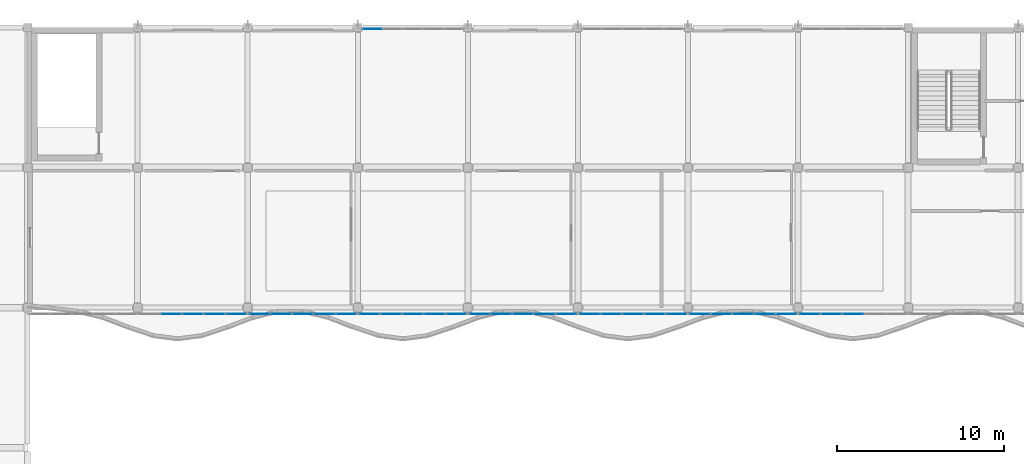
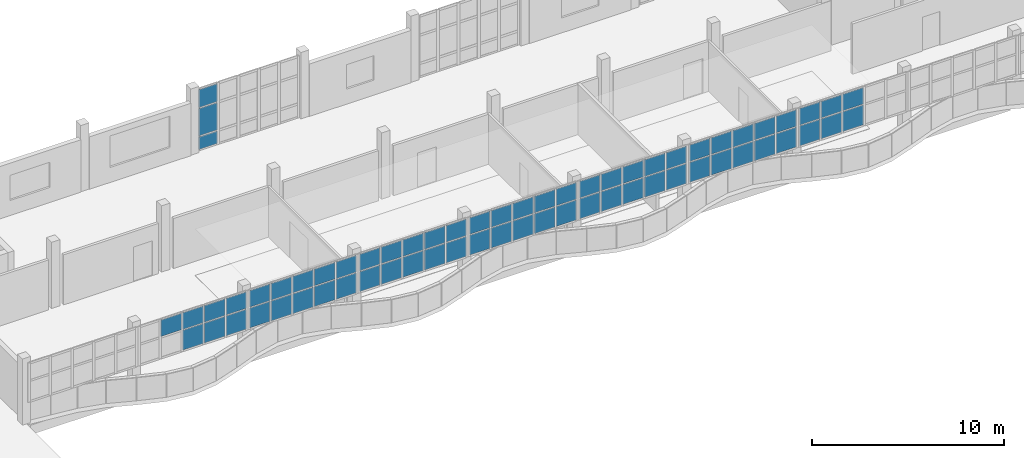
# One storey, part 46 of 78: 66 plates, 8 elements without a shape of their own.
"""IFC4 building model written with IfcOpenShell, lengths in metres."""

from ifc_helpers import new_model, si_unit, direction, frame, origin, origin_2d, place, context, subcontext, project, spatial, rectangle, extrude, material, layer, layer_set, type_object, element, aggregate, save


model = new_model("IFC4")

# Units and contexts
model_context = context("Model", 3, precision=1e-05, world=origin(), true_north=direction((0.0, 1.0)))
body_context = subcontext(model_context, "Body", "Model", "MODEL_VIEW")
ifc_project = project(units=[si_unit("LENGTHUNIT", "METRE"), si_unit("AREAUNIT", "SQUARE_METRE"), si_unit("VOLUMEUNIT", "CUBIC_METRE"), si_unit("PLANEANGLEUNIT", "RADIAN"), si_unit("MASSUNIT", "GRAM", prefix="KILO")], contexts=[model_context])

# Site, building, storey
site_placement = place(None, origin())
site = spatial("IfcSite", under=ifc_project, at=site_placement, CompositionType="ELEMENT")
building_placement = place(site_placement, origin())
building = spatial("IfcBuilding", under=site, at=building_placement, Name="Qaldarim Faculty of Natural and Applied Sciences", CompositionType="ELEMENT")
storey_placement = place(building_placement, frame((0.0, 0.0, 18.60009765625)))
storey = spatial("IfcBuildingStorey", under=building, at=storey_placement, Name="L04", CompositionType="ELEMENT", Elevation=18.60009765625)

# Curtain wall, plates
ifc_material_1 = material(Name="Anodised aluminium AW-6063", Category="aluminium")
curtain_wall_type_1 = type_object("IfcCurtainWallType", Name="CurtainWallSystem-M1200", PredefinedType="USERDEFINED", material=ifc_material_1)
curtain_wall_1_placement = place(storey_placement, origin())
curtain_wall_1 = element("IfcCurtainWall", 1, at=curtain_wall_1_placement, inside=storey, type_object=curtain_wall_type_1, Name="Curtain wall CW-L04-N-X11Y14", ObjectType="STICK CURTAIN WALL", PredefinedType="USERDEFINED")
ifc_material_2 = material(Name="Insulated low-e double glazing", Category="glass")
ifc_layer_1 = layer(ifc_material_2, 0.031982421875)
ifc_layer_set_1 = layer_set([ifc_layer_1], Name="Insulated low-e double glazing")
plate_type_1 = type_object("IfcPlateType", Name="SolarControlGlazingPanel-32", PredefinedType="CURTAIN_PANEL", material=ifc_layer_set_1)
plate_1_placement = place(storey_placement, frame((66.87353515625, 117.52001953125, 0.06982421875), z_axis=(0.0, 0.0, 1.0), x_axis=(-1.0, 0.0, 0.0)))
plate_1 = element("IfcPlate", 2, at=plate_1_placement, type_object=plate_type_1, Name="Glazed panel 5-1 of CW-L04-N-X11Y14", PredefinedType="CURTAIN_PANEL", context=body_context, shape_type="SweptSolid", body=[
    extrude(rectangle(XDim=1.116943359375, YDim=0.031982421875, at=origin_2d()), origin(), (0.0, 0.0, 1.0), 0.794921875),
])
plate_2_placement = place(storey_placement, frame((66.87353515625, 117.52001953125, 0.934814453125), z_axis=(0.0, 0.0, 1.0), x_axis=(-1.0, 0.0, 0.0)))
plate_2 = element("IfcPlate", 3, at=plate_2_placement, type_object=plate_type_1, Name="Glazed panel 5-2 of CW-L04-N-X11Y14", PredefinedType="CURTAIN_PANEL", context=body_context, shape_type="SweptSolid", body=[
    extrude(rectangle(XDim=1.116943359375, YDim=0.031982421875, at=origin_2d()), origin(), (0.0, 0.0, 1.0), 1.72998046875),
])
plate_3_placement = place(storey_placement, frame((66.87353515625, 117.52001953125, 2.73486328125), z_axis=(0.0, 0.0, 1.0), x_axis=(-1.0, 0.0, 0.0)))
plate_3 = element("IfcPlate", 4, at=plate_3_placement, type_object=plate_type_1, Name="Glazed panel 5-3 of CW-L04-N-X11Y14", PredefinedType="CURTAIN_PANEL", context=body_context, shape_type="SweptSolid", body=[
    extrude(rectangle(XDim=1.116943359375, YDim=0.031982421875, at=origin_2d()), origin(), (0.0, 0.0, 1.0), 1.135009765625),
])
aggregate(curtain_wall_1, [plate_1, plate_2, plate_3])

curtain_wall_type_2 = type_object("IfcCurtainWallType", Name="CurtainWallSystem-M1400", PredefinedType="USERDEFINED", material=ifc_material_1)
curtain_wall_2_placement = place(storey_placement, origin())
curtain_wall_2 = element("IfcCurtainWall", 5, at=curtain_wall_2_placement, inside=storey, type_object=curtain_wall_type_2, Name="Curtain wall CW-V4RIB-L04-X09", ObjectType="STICK CURTAIN WALL", PredefinedType="USERDEFINED")
ifc_layer_2 = layer(ifc_material_2, 0.028076171875)
ifc_layer_set_2 = layer_set([ifc_layer_2], Name="Insulated low-e double glazing")
plate_type_2 = type_object("IfcPlateType", Name="VisionGlazingPanel-28", PredefinedType="CURTAIN_PANEL", material=ifc_layer_set_2)
plate_4_placement = place(storey_placement, frame((54.7958984375, 100.419921875, 2.830078125), z_axis=(0.0, 0.0, 1.0), x_axis=(1.0, 0.0, 0.0)))
plate_4 = element("IfcPlate", 6, at=plate_4_placement, type_object=plate_type_2, Name="Glazed panel 2-2 of CW-V4RIB-L04-X09", PredefinedType="CURTAIN_PANEL", context=body_context, shape_type="SweptSolid", body=[
    extrude(rectangle(XDim=1.243896484375, YDim=0.028076171875, at=origin_2d()), origin(), (0.0, 0.0, 1.0), 1.050048828125),
])
plate_5_placement = place(storey_placement, frame((56.10009765625, 100.419921875, 1.509765625), z_axis=(0.0, 0.0, 1.0), x_axis=(1.0, 0.0, 0.0)))
plate_5 = element("IfcPlate", 7, at=plate_5_placement, type_object=plate_type_2, Name="Glazed panel 3-1 of CW-V4RIB-L04-X09", PredefinedType="CURTAIN_PANEL", context=body_context, shape_type="SweptSolid", body=[
    extrude(rectangle(XDim=1.243896484375, YDim=0.028076171875, at=origin_2d()), origin(), (0.0, 0.0, 1.0), 1.260009765625),
])
plate_6_placement = place(storey_placement, frame((56.10009765625, 100.419921875, 2.830078125), z_axis=(0.0, 0.0, 1.0), x_axis=(1.0, 0.0, 0.0)))
plate_6 = element("IfcPlate", 8, at=plate_6_placement, type_object=plate_type_2, Name="Glazed panel 3-2 of CW-V4RIB-L04-X09", PredefinedType="CURTAIN_PANEL", context=body_context, shape_type="SweptSolid", body=[
    extrude(rectangle(XDim=1.243896484375, YDim=0.028076171875, at=origin_2d()), origin(), (0.0, 0.0, 1.0), 1.050048828125),
])
plate_7_placement = place(storey_placement, frame((57.404052734375, 100.419921875, 1.509765625), z_axis=(0.0, 0.0, 1.0), x_axis=(1.0, 0.0, 0.0)))
plate_7 = element("IfcPlate", 9, at=plate_7_placement, type_object=plate_type_2, Name="Glazed panel 4-1 of CW-V4RIB-L04-X09", PredefinedType="CURTAIN_PANEL", context=body_context, shape_type="SweptSolid", body=[
    extrude(rectangle(XDim=1.243896484375, YDim=0.028076171875, at=origin_2d()), origin(), (0.0, 0.0, 1.0), 1.260009765625),
])
plate_8_placement = place(storey_placement, frame((57.404052734375, 100.419921875, 2.830078125), z_axis=(0.0, 0.0, 1.0), x_axis=(1.0, 0.0, 0.0)))
plate_8 = element("IfcPlate", 10, at=plate_8_placement, type_object=plate_type_2, Name="Glazed panel 4-2 of CW-V4RIB-L04-X09", PredefinedType="CURTAIN_PANEL", context=body_context, shape_type="SweptSolid", body=[
    extrude(rectangle(XDim=1.243896484375, YDim=0.028076171875, at=origin_2d()), origin(), (0.0, 0.0, 1.0), 1.050048828125),
])
plate_9_placement = place(storey_placement, frame((58.693115234375, 100.419921875, 1.509765625), z_axis=(0.0, 0.0, 1.0), x_axis=(1.0, 0.0, 0.0)))
plate_9 = element("IfcPlate", 11, at=plate_9_placement, type_object=plate_type_2, Name="Glazed panel 5-1 of CW-V4RIB-L04-X09", PredefinedType="CURTAIN_PANEL", context=body_context, shape_type="SweptSolid", body=[
    extrude(rectangle(XDim=1.214111328125, YDim=0.028076171875, at=origin_2d()), origin(), (0.0, 0.0, 1.0), 1.260009765625),
])
plate_10_placement = place(storey_placement, frame((58.693115234375, 100.419921875, 2.830078125), z_axis=(0.0, 0.0, 1.0), x_axis=(1.0, 0.0, 0.0)))
plate_10 = element("IfcPlate", 12, at=plate_10_placement, type_object=plate_type_2, Name="Glazed panel 5-2 of CW-V4RIB-L04-X09", PredefinedType="CURTAIN_PANEL", context=body_context, shape_type="SweptSolid", body=[
    extrude(rectangle(XDim=1.214111328125, YDim=0.028076171875, at=origin_2d()), origin(), (0.0, 0.0, 1.0), 1.050048828125),
])
aggregate(curtain_wall_2, [plate_4, plate_5, plate_6, plate_7, plate_8, plate_9, plate_10])

curtain_wall_3_placement = place(storey_placement, origin())
curtain_wall_3 = element("IfcCurtainWall", 13, at=curtain_wall_3_placement, inside=storey, type_object=curtain_wall_type_2, Name="Curtain wall CW-V4RIB-L04-X10", ObjectType="STICK CURTAIN WALL", PredefinedType="USERDEFINED")
plate_11_placement = place(storey_placement, frame((60.10693359375, 100.419921875, 1.509765625), z_axis=(0.0, 0.0, 1.0), x_axis=(1.0, 0.0, 0.0)))
plate_11 = element("IfcPlate", 14, at=plate_11_placement, type_object=plate_type_2, Name="Glazed panel 1-1 of CW-V4RIB-L04-X10", PredefinedType="CURTAIN_PANEL", context=body_context, shape_type="SweptSolid", body=[
    extrude(rectangle(XDim=1.214111328125, YDim=0.028076171875, at=origin_2d()), origin(), (0.0, 0.0, 1.0), 1.260009765625),
])
plate_12_placement = place(storey_placement, frame((60.10693359375, 100.419921875, 2.830078125), z_axis=(0.0, 0.0, 1.0), x_axis=(1.0, 0.0, 0.0)))
plate_12 = element("IfcPlate", 15, at=plate_12_placement, type_object=plate_type_2, Name="Glazed panel 1-2 of CW-V4RIB-L04-X10", PredefinedType="CURTAIN_PANEL", context=body_context, shape_type="SweptSolid", body=[
    extrude(rectangle(XDim=1.214111328125, YDim=0.028076171875, at=origin_2d()), origin(), (0.0, 0.0, 1.0), 1.050048828125),
])
plate_13_placement = place(storey_placement, frame((61.39599609375, 100.419921875, 1.509765625), z_axis=(0.0, 0.0, 1.0), x_axis=(1.0, 0.0, 0.0)))
plate_13 = element("IfcPlate", 16, at=plate_13_placement, type_object=plate_type_2, Name="Glazed panel 2-1 of CW-V4RIB-L04-X10", PredefinedType="CURTAIN_PANEL", context=body_context, shape_type="SweptSolid", body=[
    extrude(rectangle(XDim=1.243896484375, YDim=0.028076171875, at=origin_2d()), origin(), (0.0, 0.0, 1.0), 1.260009765625),
])
plate_14_placement = place(storey_placement, frame((61.39599609375, 100.419921875, 2.830078125), z_axis=(0.0, 0.0, 1.0), x_axis=(1.0, 0.0, 0.0)))
plate_14 = element("IfcPlate", 17, at=plate_14_placement, type_object=plate_type_2, Name="Glazed panel 2-2 of CW-V4RIB-L04-X10", PredefinedType="CURTAIN_PANEL", context=body_context, shape_type="SweptSolid", body=[
    extrude(rectangle(XDim=1.243896484375, YDim=0.028076171875, at=origin_2d()), origin(), (0.0, 0.0, 1.0), 1.050048828125),
])
plate_15_placement = place(storey_placement, frame((62.699951171875, 100.419921875, 1.509765625), z_axis=(0.0, 0.0, 1.0), x_axis=(1.0, 0.0, 0.0)))
plate_15 = element("IfcPlate", 18, at=plate_15_placement, type_object=plate_type_2, Name="Glazed panel 3-1 of CW-V4RIB-L04-X10", PredefinedType="CURTAIN_PANEL", context=body_context, shape_type="SweptSolid", body=[
    extrude(rectangle(XDim=1.243896484375, YDim=0.028076171875, at=origin_2d()), origin(), (0.0, 0.0, 1.0), 1.260009765625),
])
plate_16_placement = place(storey_placement, frame((62.699951171875, 100.419921875, 2.830078125), z_axis=(0.0, 0.0, 1.0), x_axis=(1.0, 0.0, 0.0)))
plate_16 = element("IfcPlate", 19, at=plate_16_placement, type_object=plate_type_2, Name="Glazed panel 3-2 of CW-V4RIB-L04-X10", PredefinedType="CURTAIN_PANEL", context=body_context, shape_type="SweptSolid", body=[
    extrude(rectangle(XDim=1.243896484375, YDim=0.028076171875, at=origin_2d()), origin(), (0.0, 0.0, 1.0), 1.050048828125),
])
plate_17_placement = place(storey_placement, frame((64.00390625, 100.419921875, 1.509765625), z_axis=(0.0, 0.0, 1.0), x_axis=(1.0, 0.0, 0.0)))
plate_17 = element("IfcPlate", 20, at=plate_17_placement, type_object=plate_type_2, Name="Glazed panel 4-1 of CW-V4RIB-L04-X10", PredefinedType="CURTAIN_PANEL", context=body_context, shape_type="SweptSolid", body=[
    extrude(rectangle(XDim=1.243896484375, YDim=0.028076171875, at=origin_2d()), origin(), (0.0, 0.0, 1.0), 1.260009765625),
])
plate_18_placement = place(storey_placement, frame((64.00390625, 100.419921875, 2.830078125), z_axis=(0.0, 0.0, 1.0), x_axis=(1.0, 0.0, 0.0)))
plate_18 = element("IfcPlate", 21, at=plate_18_placement, type_object=plate_type_2, Name="Glazed panel 4-2 of CW-V4RIB-L04-X10", PredefinedType="CURTAIN_PANEL", context=body_context, shape_type="SweptSolid", body=[
    extrude(rectangle(XDim=1.243896484375, YDim=0.028076171875, at=origin_2d()), origin(), (0.0, 0.0, 1.0), 1.050048828125),
])
plate_19_placement = place(storey_placement, frame((65.29296875, 100.419921875, 1.509765625), z_axis=(0.0, 0.0, 1.0), x_axis=(1.0, 0.0, 0.0)))
plate_19 = element("IfcPlate", 22, at=plate_19_placement, type_object=plate_type_2, Name="Glazed panel 5-1 of CW-V4RIB-L04-X10", PredefinedType="CURTAIN_PANEL", context=body_context, shape_type="SweptSolid", body=[
    extrude(rectangle(XDim=1.214111328125, YDim=0.028076171875, at=origin_2d()), origin(), (0.0, 0.0, 1.0), 1.260009765625),
])
plate_20_placement = place(storey_placement, frame((65.29296875, 100.419921875, 2.830078125), z_axis=(0.0, 0.0, 1.0), x_axis=(1.0, 0.0, 0.0)))
plate_20 = element("IfcPlate", 23, at=plate_20_placement, type_object=plate_type_2, Name="Glazed panel 5-2 of CW-V4RIB-L04-X10", PredefinedType="CURTAIN_PANEL", context=body_context, shape_type="SweptSolid", body=[
    extrude(rectangle(XDim=1.214111328125, YDim=0.028076171875, at=origin_2d()), origin(), (0.0, 0.0, 1.0), 1.050048828125),
])
aggregate(curtain_wall_3, [plate_11, plate_12, plate_13, plate_14, plate_15, plate_16, plate_17, plate_18, plate_19, plate_20])

curtain_wall_4_placement = place(storey_placement, origin())
curtain_wall_4 = element("IfcCurtainWall", 24, at=curtain_wall_4_placement, inside=storey, type_object=curtain_wall_type_2, Name="Curtain wall CW-V4RIB-L04-X11", ObjectType="STICK CURTAIN WALL", PredefinedType="USERDEFINED")
plate_21_placement = place(storey_placement, frame((66.70703125, 100.419921875, 1.509765625), z_axis=(0.0, 0.0, 1.0), x_axis=(1.0, 0.0, 0.0)))
plate_21 = element("IfcPlate", 25, at=plate_21_placement, type_object=plate_type_2, Name="Glazed panel 1-1 of CW-V4RIB-L04-X11", PredefinedType="CURTAIN_PANEL", context=body_context, shape_type="SweptSolid", body=[
    extrude(rectangle(XDim=1.214111328125, YDim=0.028076171875, at=origin_2d()), origin(), (0.0, 0.0, 1.0), 1.260009765625),
])
plate_22_placement = place(storey_placement, frame((66.70703125, 100.419921875, 2.830078125), z_axis=(0.0, 0.0, 1.0), x_axis=(1.0, 0.0, 0.0)))
plate_22 = element("IfcPlate", 26, at=plate_22_placement, type_object=plate_type_2, Name="Glazed panel 1-2 of CW-V4RIB-L04-X11", PredefinedType="CURTAIN_PANEL", context=body_context, shape_type="SweptSolid", body=[
    extrude(rectangle(XDim=1.214111328125, YDim=0.028076171875, at=origin_2d()), origin(), (0.0, 0.0, 1.0), 1.050048828125),
])
plate_23_placement = place(storey_placement, frame((67.99609375, 100.419921875, 1.509765625), z_axis=(0.0, 0.0, 1.0), x_axis=(1.0, 0.0, 0.0)))
plate_23 = element("IfcPlate", 27, at=plate_23_placement, type_object=plate_type_2, Name="Glazed panel 2-1 of CW-V4RIB-L04-X11", PredefinedType="CURTAIN_PANEL", context=body_context, shape_type="SweptSolid", body=[
    extrude(rectangle(XDim=1.243896484375, YDim=0.028076171875, at=origin_2d()), origin(), (0.0, 0.0, 1.0), 1.260009765625),
])
plate_24_placement = place(storey_placement, frame((67.99609375, 100.419921875, 2.830078125), z_axis=(0.0, 0.0, 1.0), x_axis=(1.0, 0.0, 0.0)))
plate_24 = element("IfcPlate", 28, at=plate_24_placement, type_object=plate_type_2, Name="Glazed panel 2-2 of CW-V4RIB-L04-X11", PredefinedType="CURTAIN_PANEL", context=body_context, shape_type="SweptSolid", body=[
    extrude(rectangle(XDim=1.243896484375, YDim=0.028076171875, at=origin_2d()), origin(), (0.0, 0.0, 1.0), 1.050048828125),
])
plate_25_placement = place(storey_placement, frame((69.300048828125, 100.419921875, 1.509765625), z_axis=(0.0, 0.0, 1.0), x_axis=(1.0, 0.0, 0.0)))
plate_25 = element("IfcPlate", 29, at=plate_25_placement, type_object=plate_type_2, Name="Glazed panel 3-1 of CW-V4RIB-L04-X11", PredefinedType="CURTAIN_PANEL", context=body_context, shape_type="SweptSolid", body=[
    extrude(rectangle(XDim=1.243896484375, YDim=0.028076171875, at=origin_2d()), origin(), (0.0, 0.0, 1.0), 1.260009765625),
])
plate_26_placement = place(storey_placement, frame((69.300048828125, 100.419921875, 2.830078125), z_axis=(0.0, 0.0, 1.0), x_axis=(1.0, 0.0, 0.0)))
plate_26 = element("IfcPlate", 30, at=plate_26_placement, type_object=plate_type_2, Name="Glazed panel 3-2 of CW-V4RIB-L04-X11", PredefinedType="CURTAIN_PANEL", context=body_context, shape_type="SweptSolid", body=[
    extrude(rectangle(XDim=1.243896484375, YDim=0.028076171875, at=origin_2d()), origin(), (0.0, 0.0, 1.0), 1.050048828125),
])
plate_27_placement = place(storey_placement, frame((70.60400390625, 100.419921875, 1.509765625), z_axis=(0.0, 0.0, 1.0), x_axis=(1.0, 0.0, 0.0)))
plate_27 = element("IfcPlate", 31, at=plate_27_placement, type_object=plate_type_2, Name="Glazed panel 4-1 of CW-V4RIB-L04-X11", PredefinedType="CURTAIN_PANEL", context=body_context, shape_type="SweptSolid", body=[
    extrude(rectangle(XDim=1.243896484375, YDim=0.028076171875, at=origin_2d()), origin(), (0.0, 0.0, 1.0), 1.260009765625),
])
plate_28_placement = place(storey_placement, frame((70.60400390625, 100.419921875, 2.830078125), z_axis=(0.0, 0.0, 1.0), x_axis=(1.0, 0.0, 0.0)))
plate_28 = element("IfcPlate", 32, at=plate_28_placement, type_object=plate_type_2, Name="Glazed panel 4-2 of CW-V4RIB-L04-X11", PredefinedType="CURTAIN_PANEL", context=body_context, shape_type="SweptSolid", body=[
    extrude(rectangle(XDim=1.243896484375, YDim=0.028076171875, at=origin_2d()), origin(), (0.0, 0.0, 1.0), 1.050048828125),
])
plate_29_placement = place(storey_placement, frame((71.89306640625, 100.419921875, 1.509765625), z_axis=(0.0, 0.0, 1.0), x_axis=(1.0, 0.0, 0.0)))
plate_29 = element("IfcPlate", 33, at=plate_29_placement, type_object=plate_type_2, Name="Glazed panel 5-1 of CW-V4RIB-L04-X11", PredefinedType="CURTAIN_PANEL", context=body_context, shape_type="SweptSolid", body=[
    extrude(rectangle(XDim=1.214111328125, YDim=0.028076171875, at=origin_2d()), origin(), (0.0, 0.0, 1.0), 1.260009765625),
])
plate_30_placement = place(storey_placement, frame((71.89306640625, 100.419921875, 2.830078125), z_axis=(0.0, 0.0, 1.0), x_axis=(1.0, 0.0, 0.0)))
plate_30 = element("IfcPlate", 34, at=plate_30_placement, type_object=plate_type_2, Name="Glazed panel 5-2 of CW-V4RIB-L04-X11", PredefinedType="CURTAIN_PANEL", context=body_context, shape_type="SweptSolid", body=[
    extrude(rectangle(XDim=1.214111328125, YDim=0.028076171875, at=origin_2d()), origin(), (0.0, 0.0, 1.0), 1.050048828125),
])
aggregate(curtain_wall_4, [plate_21, plate_22, plate_23, plate_24, plate_25, plate_26, plate_27, plate_28, plate_29, plate_30])

curtain_wall_5_placement = place(storey_placement, origin())
curtain_wall_5 = element("IfcCurtainWall", 35, at=curtain_wall_5_placement, inside=storey, type_object=curtain_wall_type_2, Name="Curtain wall CW-V4RIB-L04-X12", ObjectType="STICK CURTAIN WALL", PredefinedType="USERDEFINED")
plate_31_placement = place(storey_placement, frame((73.306884765625, 100.419921875, 1.509765625), z_axis=(0.0, 0.0, 1.0), x_axis=(1.0, 0.0, 0.0)))
plate_31 = element("IfcPlate", 36, at=plate_31_placement, type_object=plate_type_2, Name="Glazed panel 1-1 of CW-V4RIB-L04-X12", PredefinedType="CURTAIN_PANEL", context=body_context, shape_type="SweptSolid", body=[
    extrude(rectangle(XDim=1.214111328125, YDim=0.028076171875, at=origin_2d()), origin(), (0.0, 0.0, 1.0), 1.260009765625),
])
plate_32_placement = place(storey_placement, frame((73.306884765625, 100.419921875, 2.830078125), z_axis=(0.0, 0.0, 1.0), x_axis=(1.0, 0.0, 0.0)))
plate_32 = element("IfcPlate", 37, at=plate_32_placement, type_object=plate_type_2, Name="Glazed panel 1-2 of CW-V4RIB-L04-X12", PredefinedType="CURTAIN_PANEL", context=body_context, shape_type="SweptSolid", body=[
    extrude(rectangle(XDim=1.214111328125, YDim=0.028076171875, at=origin_2d()), origin(), (0.0, 0.0, 1.0), 1.050048828125),
])
plate_33_placement = place(storey_placement, frame((74.595947265625, 100.419921875, 1.509765625), z_axis=(0.0, 0.0, 1.0), x_axis=(1.0, 0.0, 0.0)))
plate_33 = element("IfcPlate", 38, at=plate_33_placement, type_object=plate_type_2, Name="Glazed panel 2-1 of CW-V4RIB-L04-X12", PredefinedType="CURTAIN_PANEL", context=body_context, shape_type="SweptSolid", body=[
    extrude(rectangle(XDim=1.243896484375, YDim=0.028076171875, at=origin_2d()), origin(), (0.0, 0.0, 1.0), 1.260009765625),
])
plate_34_placement = place(storey_placement, frame((74.595947265625, 100.419921875, 2.830078125), z_axis=(0.0, 0.0, 1.0), x_axis=(1.0, 0.0, 0.0)))
plate_34 = element("IfcPlate", 39, at=plate_34_placement, type_object=plate_type_2, Name="Glazed panel 2-2 of CW-V4RIB-L04-X12", PredefinedType="CURTAIN_PANEL", context=body_context, shape_type="SweptSolid", body=[
    extrude(rectangle(XDim=1.243896484375, YDim=0.028076171875, at=origin_2d()), origin(), (0.0, 0.0, 1.0), 1.050048828125),
])
plate_35_placement = place(storey_placement, frame((75.89990234375, 100.419921875, 1.509765625), z_axis=(0.0, 0.0, 1.0), x_axis=(1.0, 0.0, 0.0)))
plate_35 = element("IfcPlate", 40, at=plate_35_placement, type_object=plate_type_2, Name="Glazed panel 3-1 of CW-V4RIB-L04-X12", PredefinedType="CURTAIN_PANEL", context=body_context, shape_type="SweptSolid", body=[
    extrude(rectangle(XDim=1.243896484375, YDim=0.028076171875, at=origin_2d()), origin(), (0.0, 0.0, 1.0), 1.260009765625),
])
plate_36_placement = place(storey_placement, frame((75.89990234375, 100.419921875, 2.830078125), z_axis=(0.0, 0.0, 1.0), x_axis=(1.0, 0.0, 0.0)))
plate_36 = element("IfcPlate", 41, at=plate_36_placement, type_object=plate_type_2, Name="Glazed panel 3-2 of CW-V4RIB-L04-X12", PredefinedType="CURTAIN_PANEL", context=body_context, shape_type="SweptSolid", body=[
    extrude(rectangle(XDim=1.243896484375, YDim=0.028076171875, at=origin_2d()), origin(), (0.0, 0.0, 1.0), 1.050048828125),
])
plate_37_placement = place(storey_placement, frame((77.2041015625, 100.419921875, 1.509765625), z_axis=(0.0, 0.0, 1.0), x_axis=(1.0, 0.0, 0.0)))
plate_37 = element("IfcPlate", 42, at=plate_37_placement, type_object=plate_type_2, Name="Glazed panel 4-1 of CW-V4RIB-L04-X12", PredefinedType="CURTAIN_PANEL", context=body_context, shape_type="SweptSolid", body=[
    extrude(rectangle(XDim=1.243896484375, YDim=0.028076171875, at=origin_2d()), origin(), (0.0, 0.0, 1.0), 1.260009765625),
])
plate_38_placement = place(storey_placement, frame((77.2041015625, 100.419921875, 2.830078125), z_axis=(0.0, 0.0, 1.0), x_axis=(1.0, 0.0, 0.0)))
plate_38 = element("IfcPlate", 43, at=plate_38_placement, type_object=plate_type_2, Name="Glazed panel 4-2 of CW-V4RIB-L04-X12", PredefinedType="CURTAIN_PANEL", context=body_context, shape_type="SweptSolid", body=[
    extrude(rectangle(XDim=1.243896484375, YDim=0.028076171875, at=origin_2d()), origin(), (0.0, 0.0, 1.0), 1.050048828125),
])
plate_39_placement = place(storey_placement, frame((78.492919921875, 100.419921875, 1.509765625), z_axis=(0.0, 0.0, 1.0), x_axis=(1.0, 0.0, 0.0)))
plate_39 = element("IfcPlate", 44, at=plate_39_placement, type_object=plate_type_2, Name="Glazed panel 5-1 of CW-V4RIB-L04-X12", PredefinedType="CURTAIN_PANEL", context=body_context, shape_type="SweptSolid", body=[
    extrude(rectangle(XDim=1.214111328125, YDim=0.028076171875, at=origin_2d()), origin(), (0.0, 0.0, 1.0), 1.260009765625),
])
plate_40_placement = place(storey_placement, frame((78.492919921875, 100.419921875, 2.830078125), z_axis=(0.0, 0.0, 1.0), x_axis=(1.0, 0.0, 0.0)))
plate_40 = element("IfcPlate", 45, at=plate_40_placement, type_object=plate_type_2, Name="Glazed panel 5-2 of CW-V4RIB-L04-X12", PredefinedType="CURTAIN_PANEL", context=body_context, shape_type="SweptSolid", body=[
    extrude(rectangle(XDim=1.214111328125, YDim=0.028076171875, at=origin_2d()), origin(), (0.0, 0.0, 1.0), 1.050048828125),
])
aggregate(curtain_wall_5, [plate_31, plate_32, plate_33, plate_34, plate_35, plate_36, plate_37, plate_38, plate_39, plate_40])

curtain_wall_6_placement = place(storey_placement, origin())
curtain_wall_6 = element("IfcCurtainWall", 46, at=curtain_wall_6_placement, inside=storey, type_object=curtain_wall_type_2, Name="Curtain wall CW-V4RIB-L04-X13", ObjectType="STICK CURTAIN WALL", PredefinedType="USERDEFINED")
plate_41_placement = place(storey_placement, frame((79.906982421875, 100.419921875, 1.509765625), z_axis=(0.0, 0.0, 1.0), x_axis=(1.0, 0.0, 0.0)))
plate_41 = element("IfcPlate", 47, at=plate_41_placement, type_object=plate_type_2, Name="Glazed panel 1-1 of CW-V4RIB-L04-X13", PredefinedType="CURTAIN_PANEL", context=body_context, shape_type="SweptSolid", body=[
    extrude(rectangle(XDim=1.214111328125, YDim=0.028076171875, at=origin_2d()), origin(), (0.0, 0.0, 1.0), 1.260009765625),
])
plate_42_placement = place(storey_placement, frame((79.906982421875, 100.419921875, 2.830078125), z_axis=(0.0, 0.0, 1.0), x_axis=(1.0, 0.0, 0.0)))
plate_42 = element("IfcPlate", 48, at=plate_42_placement, type_object=plate_type_2, Name="Glazed panel 1-2 of CW-V4RIB-L04-X13", PredefinedType="CURTAIN_PANEL", context=body_context, shape_type="SweptSolid", body=[
    extrude(rectangle(XDim=1.214111328125, YDim=0.028076171875, at=origin_2d()), origin(), (0.0, 0.0, 1.0), 1.050048828125),
])
plate_43_placement = place(storey_placement, frame((81.196044921875, 100.419921875, 1.509765625), z_axis=(0.0, 0.0, 1.0), x_axis=(1.0, 0.0, 0.0)))
plate_43 = element("IfcPlate", 49, at=plate_43_placement, type_object=plate_type_2, Name="Glazed panel 2-1 of CW-V4RIB-L04-X13", PredefinedType="CURTAIN_PANEL", context=body_context, shape_type="SweptSolid", body=[
    extrude(rectangle(XDim=1.243896484375, YDim=0.028076171875, at=origin_2d()), origin(), (0.0, 0.0, 1.0), 1.260009765625),
])
plate_44_placement = place(storey_placement, frame((81.196044921875, 100.419921875, 2.830078125), z_axis=(0.0, 0.0, 1.0), x_axis=(1.0, 0.0, 0.0)))
plate_44 = element("IfcPlate", 50, at=plate_44_placement, type_object=plate_type_2, Name="Glazed panel 2-2 of CW-V4RIB-L04-X13", PredefinedType="CURTAIN_PANEL", context=body_context, shape_type="SweptSolid", body=[
    extrude(rectangle(XDim=1.243896484375, YDim=0.028076171875, at=origin_2d()), origin(), (0.0, 0.0, 1.0), 1.050048828125),
])
plate_45_placement = place(storey_placement, frame((82.5, 100.419921875, 1.509765625), z_axis=(0.0, 0.0, 1.0), x_axis=(1.0, 0.0, 0.0)))
plate_45 = element("IfcPlate", 51, at=plate_45_placement, type_object=plate_type_2, Name="Glazed panel 3-1 of CW-V4RIB-L04-X13", PredefinedType="CURTAIN_PANEL", context=body_context, shape_type="SweptSolid", body=[
    extrude(rectangle(XDim=1.243896484375, YDim=0.028076171875, at=origin_2d()), origin(), (0.0, 0.0, 1.0), 1.260009765625),
])
plate_46_placement = place(storey_placement, frame((82.5, 100.419921875, 2.830078125), z_axis=(0.0, 0.0, 1.0), x_axis=(1.0, 0.0, 0.0)))
plate_46 = element("IfcPlate", 52, at=plate_46_placement, type_object=plate_type_2, Name="Glazed panel 3-2 of CW-V4RIB-L04-X13", PredefinedType="CURTAIN_PANEL", context=body_context, shape_type="SweptSolid", body=[
    extrude(rectangle(XDim=1.243896484375, YDim=0.028076171875, at=origin_2d()), origin(), (0.0, 0.0, 1.0), 1.050048828125),
])
plate_47_placement = place(storey_placement, frame((83.803955078125, 100.419921875, 1.509765625), z_axis=(0.0, 0.0, 1.0), x_axis=(1.0, 0.0, 0.0)))
plate_47 = element("IfcPlate", 53, at=plate_47_placement, type_object=plate_type_2, Name="Glazed panel 4-1 of CW-V4RIB-L04-X13", PredefinedType="CURTAIN_PANEL", context=body_context, shape_type="SweptSolid", body=[
    extrude(rectangle(XDim=1.243896484375, YDim=0.028076171875, at=origin_2d()), origin(), (0.0, 0.0, 1.0), 1.260009765625),
])
plate_48_placement = place(storey_placement, frame((83.803955078125, 100.419921875, 2.830078125), z_axis=(0.0, 0.0, 1.0), x_axis=(1.0, 0.0, 0.0)))
plate_48 = element("IfcPlate", 54, at=plate_48_placement, type_object=plate_type_2, Name="Glazed panel 4-2 of CW-V4RIB-L04-X13", PredefinedType="CURTAIN_PANEL", context=body_context, shape_type="SweptSolid", body=[
    extrude(rectangle(XDim=1.243896484375, YDim=0.028076171875, at=origin_2d()), origin(), (0.0, 0.0, 1.0), 1.050048828125),
])
plate_49_placement = place(storey_placement, frame((85.093017578125, 100.419921875, 1.509765625), z_axis=(0.0, 0.0, 1.0), x_axis=(1.0, 0.0, 0.0)))
plate_49 = element("IfcPlate", 55, at=plate_49_placement, type_object=plate_type_2, Name="Glazed panel 5-1 of CW-V4RIB-L04-X13", PredefinedType="CURTAIN_PANEL", context=body_context, shape_type="SweptSolid", body=[
    extrude(rectangle(XDim=1.214111328125, YDim=0.028076171875, at=origin_2d()), origin(), (0.0, 0.0, 1.0), 1.260009765625),
])
plate_50_placement = place(storey_placement, frame((85.093017578125, 100.419921875, 2.830078125), z_axis=(0.0, 0.0, 1.0), x_axis=(1.0, 0.0, 0.0)))
plate_50 = element("IfcPlate", 56, at=plate_50_placement, type_object=plate_type_2, Name="Glazed panel 5-2 of CW-V4RIB-L04-X13", PredefinedType="CURTAIN_PANEL", context=body_context, shape_type="SweptSolid", body=[
    extrude(rectangle(XDim=1.214111328125, YDim=0.028076171875, at=origin_2d()), origin(), (0.0, 0.0, 1.0), 1.050048828125),
])
aggregate(curtain_wall_6, [plate_41, plate_42, plate_43, plate_44, plate_45, plate_46, plate_47, plate_48, plate_49, plate_50])

curtain_wall_7_placement = place(storey_placement, origin())
curtain_wall_7 = element("IfcCurtainWall", 57, at=curtain_wall_7_placement, inside=storey, type_object=curtain_wall_type_2, Name="Curtain wall CW-V4RIB-L04-X14", ObjectType="STICK CURTAIN WALL", PredefinedType="USERDEFINED")
plate_51_placement = place(storey_placement, frame((86.507080078125, 100.419921875, 1.509765625), z_axis=(0.0, 0.0, 1.0), x_axis=(1.0, 0.0, 0.0)))
plate_51 = element("IfcPlate", 58, at=plate_51_placement, type_object=plate_type_2, Name="Glazed panel 1-1 of CW-V4RIB-L04-X14", PredefinedType="CURTAIN_PANEL", context=body_context, shape_type="SweptSolid", body=[
    extrude(rectangle(XDim=1.214111328125, YDim=0.028076171875, at=origin_2d()), origin(), (0.0, 0.0, 1.0), 1.260009765625),
])
plate_52_placement = place(storey_placement, frame((86.507080078125, 100.419921875, 2.830078125), z_axis=(0.0, 0.0, 1.0), x_axis=(1.0, 0.0, 0.0)))
plate_52 = element("IfcPlate", 59, at=plate_52_placement, type_object=plate_type_2, Name="Glazed panel 1-2 of CW-V4RIB-L04-X14", PredefinedType="CURTAIN_PANEL", context=body_context, shape_type="SweptSolid", body=[
    extrude(rectangle(XDim=1.214111328125, YDim=0.028076171875, at=origin_2d()), origin(), (0.0, 0.0, 1.0), 1.050048828125),
])
plate_53_placement = place(storey_placement, frame((87.7958984375, 100.419921875, 1.509765625), z_axis=(0.0, 0.0, 1.0), x_axis=(1.0, 0.0, 0.0)))
plate_53 = element("IfcPlate", 60, at=plate_53_placement, type_object=plate_type_2, Name="Glazed panel 2-1 of CW-V4RIB-L04-X14", PredefinedType="CURTAIN_PANEL", context=body_context, shape_type="SweptSolid", body=[
    extrude(rectangle(XDim=1.243896484375, YDim=0.028076171875, at=origin_2d()), origin(), (0.0, 0.0, 1.0), 1.260009765625),
])
plate_54_placement = place(storey_placement, frame((87.7958984375, 100.419921875, 2.830078125), z_axis=(0.0, 0.0, 1.0), x_axis=(1.0, 0.0, 0.0)))
plate_54 = element("IfcPlate", 61, at=plate_54_placement, type_object=plate_type_2, Name="Glazed panel 2-2 of CW-V4RIB-L04-X14", PredefinedType="CURTAIN_PANEL", context=body_context, shape_type="SweptSolid", body=[
    extrude(rectangle(XDim=1.243896484375, YDim=0.028076171875, at=origin_2d()), origin(), (0.0, 0.0, 1.0), 1.050048828125),
])
plate_55_placement = place(storey_placement, frame((89.10009765625, 100.419921875, 1.509765625), z_axis=(0.0, 0.0, 1.0), x_axis=(1.0, 0.0, 0.0)))
plate_55 = element("IfcPlate", 62, at=plate_55_placement, type_object=plate_type_2, Name="Glazed panel 3-1 of CW-V4RIB-L04-X14", PredefinedType="CURTAIN_PANEL", context=body_context, shape_type="SweptSolid", body=[
    extrude(rectangle(XDim=1.243896484375, YDim=0.028076171875, at=origin_2d()), origin(), (0.0, 0.0, 1.0), 1.260009765625),
])
plate_56_placement = place(storey_placement, frame((89.10009765625, 100.419921875, 2.830078125), z_axis=(0.0, 0.0, 1.0), x_axis=(1.0, 0.0, 0.0)))
plate_56 = element("IfcPlate", 63, at=plate_56_placement, type_object=plate_type_2, Name="Glazed panel 3-2 of CW-V4RIB-L04-X14", PredefinedType="CURTAIN_PANEL", context=body_context, shape_type="SweptSolid", body=[
    extrude(rectangle(XDim=1.243896484375, YDim=0.028076171875, at=origin_2d()), origin(), (0.0, 0.0, 1.0), 1.050048828125),
])
plate_57_placement = place(storey_placement, frame((90.404052734375, 100.419921875, 1.509765625), z_axis=(0.0, 0.0, 1.0), x_axis=(1.0, 0.0, 0.0)))
plate_57 = element("IfcPlate", 64, at=plate_57_placement, type_object=plate_type_2, Name="Glazed panel 4-1 of CW-V4RIB-L04-X14", PredefinedType="CURTAIN_PANEL", context=body_context, shape_type="SweptSolid", body=[
    extrude(rectangle(XDim=1.243896484375, YDim=0.028076171875, at=origin_2d()), origin(), (0.0, 0.0, 1.0), 1.260009765625),
])
plate_58_placement = place(storey_placement, frame((90.404052734375, 100.419921875, 2.830078125), z_axis=(0.0, 0.0, 1.0), x_axis=(1.0, 0.0, 0.0)))
plate_58 = element("IfcPlate", 65, at=plate_58_placement, type_object=plate_type_2, Name="Glazed panel 4-2 of CW-V4RIB-L04-X14", PredefinedType="CURTAIN_PANEL", context=body_context, shape_type="SweptSolid", body=[
    extrude(rectangle(XDim=1.243896484375, YDim=0.028076171875, at=origin_2d()), origin(), (0.0, 0.0, 1.0), 1.050048828125),
])
plate_59_placement = place(storey_placement, frame((91.693115234375, 100.419921875, 1.509765625), z_axis=(0.0, 0.0, 1.0), x_axis=(1.0, 0.0, 0.0)))
plate_59 = element("IfcPlate", 66, at=plate_59_placement, type_object=plate_type_2, Name="Glazed panel 5-1 of CW-V4RIB-L04-X14", PredefinedType="CURTAIN_PANEL", context=body_context, shape_type="SweptSolid", body=[
    extrude(rectangle(XDim=1.214111328125, YDim=0.028076171875, at=origin_2d()), origin(), (0.0, 0.0, 1.0), 1.260009765625),
])
plate_60_placement = place(storey_placement, frame((91.693115234375, 100.419921875, 2.830078125), z_axis=(0.0, 0.0, 1.0), x_axis=(1.0, 0.0, 0.0)))
plate_60 = element("IfcPlate", 67, at=plate_60_placement, type_object=plate_type_2, Name="Glazed panel 5-2 of CW-V4RIB-L04-X14", PredefinedType="CURTAIN_PANEL", context=body_context, shape_type="SweptSolid", body=[
    extrude(rectangle(XDim=1.214111328125, YDim=0.028076171875, at=origin_2d()), origin(), (0.0, 0.0, 1.0), 1.050048828125),
])
aggregate(curtain_wall_7, [plate_51, plate_52, plate_53, plate_54, plate_55, plate_56, plate_57, plate_58, plate_59, plate_60])

curtain_wall_8_placement = place(storey_placement, origin())
curtain_wall_8 = element("IfcCurtainWall", 68, at=curtain_wall_8_placement, inside=storey, type_object=curtain_wall_type_2, Name="Curtain wall CW-V4RIB-L04-X15", ObjectType="STICK CURTAIN WALL", PredefinedType="USERDEFINED")
plate_61_placement = place(storey_placement, frame((93.10693359375, 100.419921875, 1.509765625), z_axis=(0.0, 0.0, 1.0), x_axis=(1.0, 0.0, 0.0)))
plate_61 = element("IfcPlate", 69, at=plate_61_placement, type_object=plate_type_2, Name="Glazed panel 1-1 of CW-V4RIB-L04-X15", PredefinedType="CURTAIN_PANEL", context=body_context, shape_type="SweptSolid", body=[
    extrude(rectangle(XDim=1.214111328125, YDim=0.028076171875, at=origin_2d()), origin(), (0.0, 0.0, 1.0), 1.260009765625),
])
plate_62_placement = place(storey_placement, frame((93.10693359375, 100.419921875, 2.830078125), z_axis=(0.0, 0.0, 1.0), x_axis=(1.0, 0.0, 0.0)))
plate_62 = element("IfcPlate", 70, at=plate_62_placement, type_object=plate_type_2, Name="Glazed panel 1-2 of CW-V4RIB-L04-X15", PredefinedType="CURTAIN_PANEL", context=body_context, shape_type="SweptSolid", body=[
    extrude(rectangle(XDim=1.214111328125, YDim=0.028076171875, at=origin_2d()), origin(), (0.0, 0.0, 1.0), 1.050048828125),
])
plate_63_placement = place(storey_placement, frame((94.39599609375, 100.419921875, 1.509765625), z_axis=(0.0, 0.0, 1.0), x_axis=(1.0, 0.0, 0.0)))
plate_63 = element("IfcPlate", 71, at=plate_63_placement, type_object=plate_type_2, Name="Glazed panel 2-1 of CW-V4RIB-L04-X15", PredefinedType="CURTAIN_PANEL", context=body_context, shape_type="SweptSolid", body=[
    extrude(rectangle(XDim=1.243896484375, YDim=0.028076171875, at=origin_2d()), origin(), (0.0, 0.0, 1.0), 1.260009765625),
])
plate_64_placement = place(storey_placement, frame((94.39599609375, 100.419921875, 2.830078125), z_axis=(0.0, 0.0, 1.0), x_axis=(1.0, 0.0, 0.0)))
plate_64 = element("IfcPlate", 72, at=plate_64_placement, type_object=plate_type_2, Name="Glazed panel 2-2 of CW-V4RIB-L04-X15", PredefinedType="CURTAIN_PANEL", context=body_context, shape_type="SweptSolid", body=[
    extrude(rectangle(XDim=1.243896484375, YDim=0.028076171875, at=origin_2d()), origin(), (0.0, 0.0, 1.0), 1.050048828125),
])
plate_65_placement = place(storey_placement, frame((95.699951171875, 100.419921875, 1.509765625), z_axis=(0.0, 0.0, 1.0), x_axis=(1.0, 0.0, 0.0)))
plate_65 = element("IfcPlate", 73, at=plate_65_placement, type_object=plate_type_2, Name="Glazed panel 3-1 of CW-V4RIB-L04-X15", PredefinedType="CURTAIN_PANEL", context=body_context, shape_type="SweptSolid", body=[
    extrude(rectangle(XDim=1.243896484375, YDim=0.028076171875, at=origin_2d()), origin(), (0.0, 0.0, 1.0), 1.260009765625),
])
plate_66_placement = place(storey_placement, frame((95.699951171875, 100.419921875, 2.830078125), z_axis=(0.0, 0.0, 1.0), x_axis=(1.0, 0.0, 0.0)))
plate_66 = element("IfcPlate", 74, at=plate_66_placement, type_object=plate_type_2, Name="Glazed panel 3-2 of CW-V4RIB-L04-X15", PredefinedType="CURTAIN_PANEL", context=body_context, shape_type="SweptSolid", body=[
    extrude(rectangle(XDim=1.243896484375, YDim=0.028076171875, at=origin_2d()), origin(), (0.0, 0.0, 1.0), 1.050048828125),
])
aggregate(curtain_wall_8, [plate_61, plate_62, plate_63, plate_64, plate_65, plate_66])

save(model, "model.ifc")
